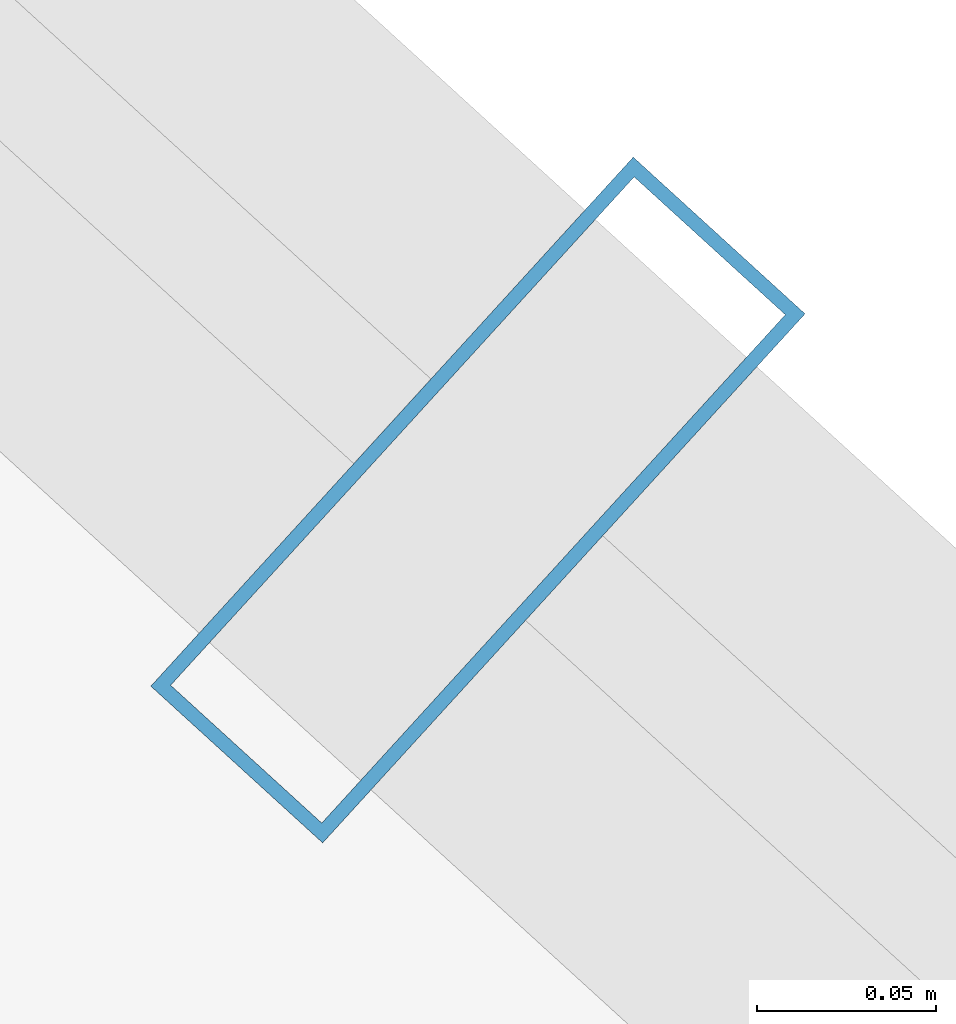
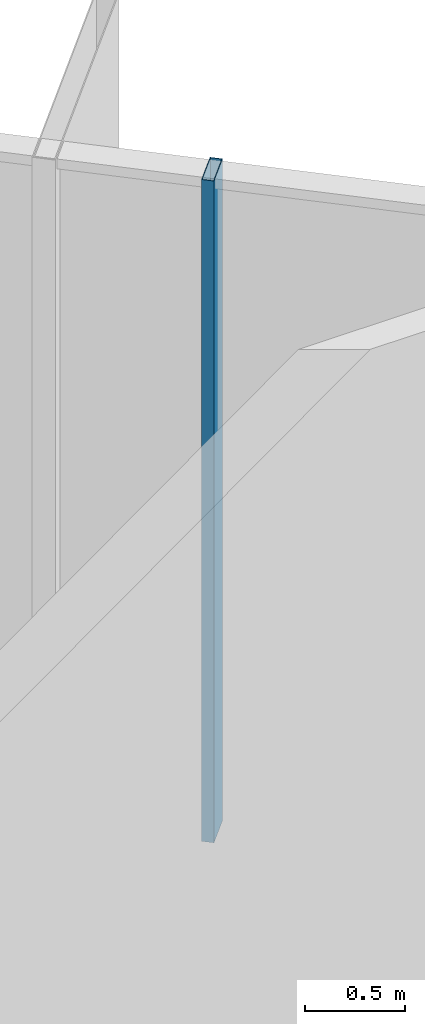
# One storey, part 21 of 28: 1 member, 1 element without a shape of its own.
"""IFC4 building model written with IfcOpenShell, lengths in metres."""

import ifcopenshell
import ifcopenshell.guid

model = None  # the IFC model being written
_history = None  # IfcOwnerHistory: only IFC2X3 demands one
_inside = {}  # id of a spatial element -> (the spatial element, [elements in it])
_under = {}  # id of a project, library or spatial element -> (it, [spatial elements below it])
_declared = {}  # id of a project -> (the project, [libraries it declares])
_typed = {}  # id of a type object -> (the type object, [elements of that type])
_made_of = {}  # id of a material, layer set ... -> (it, [elements and type objects made of it])


def new_model(schema):
    """Start an empty IFC model of exactly this schema.

    Asked for "IFC4X3", IfcOpenShell would pick the latest addendum, in which some entities
    have other attributes; the version numbers below select the first issue.
    IFC2X3 requires an IfcOwnerHistory on every rooted entity: one is made here for all.
    """
    global model, _history
    if schema == "IFC4X3":
        model = ifcopenshell.file(schema_version=(4, 3, 0, 0))
    else:
        model = ifcopenshell.file(schema=schema)
    _inside.clear()
    _under.clear()
    _declared.clear()
    _typed.clear()
    _made_of.clear()
    _history = None
    if model.schema == "IFC2X3":
        org = make("IfcOrganization", Name="unknown")
        user = make(
            "IfcPersonAndOrganization",
            ThePerson=make("IfcPerson", FamilyName="unknown"),
            TheOrganization=org,
        )
        app = make(
            "IfcApplication",
            ApplicationDeveloper=org,
            Version="unknown",
            ApplicationFullName="unknown",
            ApplicationIdentifier="unknown",
        )
        _history = make(
            "IfcOwnerHistory",
            OwningUser=user,
            OwningApplication=app,
            ChangeAction="ADDED",
            CreationDate=0,
        )
    return model


def make(cls, **values):
    """One entity of the class cls with the attributes given. An attribute that is None is left unset."""
    return model.create_entity(
        cls, **{name: value for name, value in values.items() if value is not None}
    )


def rooted(cls, **values):
    """An entity with a GlobalId (a new one), such as an element, a storey or a relation."""
    return make(cls, GlobalId=ifcopenshell.guid.new(), OwnerHistory=_history, **values)


def si_unit(unit_type, name, prefix=None):
    """IfcSIUnit, for example si_unit("LENGTHUNIT", "METRE", prefix="MILLI")."""
    return make("IfcSIUnit", UnitType=unit_type, Prefix=prefix, Name=name)


def assignment(units):
    """IfcUnitAssignment: the units of a project."""
    return None if units is None else make("IfcUnitAssignment", Units=units)


def point(xyz):
    """IfcCartesianPoint."""
    return None if xyz is None else make("IfcCartesianPoint", Coordinates=xyz)


def direction(xyz):
    """IfcDirection."""
    return None if xyz is None else make("IfcDirection", DirectionRatios=xyz)


def frame(location, z_axis=None, x_axis=None):
    """IfcAxis2Placement3D, a coordinate frame: its origin and axes. An axis left out is left unset."""
    return make(
        "IfcAxis2Placement3D",
        Location=point(location),
        Axis=direction(z_axis),
        RefDirection=direction(x_axis),
    )


def frame_2d(location, x_axis=None):
    """IfcAxis2Placement2D, a coordinate frame in the plane: its origin and x axis."""
    return make(
        "IfcAxis2Placement2D", Location=point(location), RefDirection=direction(x_axis)
    )


def origin():
    """The frame at (0, 0, 0) with its axes left unset."""
    return frame((0.0, 0.0, 0.0))


def origin_2d():
    """The frame at (0, 0) in the plane with its x axis left unset."""
    return frame_2d((0.0, 0.0))


def place(relative_to, where):
    """IfcLocalPlacement: puts the frame where relative to a parent placement (None: the world)."""
    return make(
        "IfcLocalPlacement", PlacementRelTo=relative_to, RelativePlacement=where
    )


def context(
    kind, dimensions, precision=None, world=None, true_north=None, identifier=None
):
    """IfcGeometricRepresentationContext, for example the 3D "Model" context."""
    return make(
        "IfcGeometricRepresentationContext",
        ContextIdentifier=identifier,
        ContextType=kind,
        CoordinateSpaceDimension=dimensions,
        Precision=precision,
        WorldCoordinateSystem=world,
        TrueNorth=true_north,
    )


def subcontext(parent, identifier, kind, view, scale=None):
    """IfcGeometricRepresentationSubContext, for example "Body" below "Model"."""
    return make(
        "IfcGeometricRepresentationSubContext",
        ContextIdentifier=identifier,
        ContextType=kind,
        ParentContext=parent,
        TargetScale=scale,
        TargetView=view,
    )


def project(units=None, contexts=None):
    """IfcProject with its units and contexts."""
    return rooted(
        "IfcProject",
        Name="project",
        RepresentationContexts=contexts,
        UnitsInContext=assignment(units),
    )


def spatial(cls, under=None, at=None, **own):
    """A site, building, storey or space (cls), placed at a placement, below another one or the project."""
    s = rooted(cls, ObjectPlacement=at, **own)
    if under is not None:
        _under.setdefault(under.id(), (under, []))[1].append(s)
    return s


def profile(cls, at=None, kind="AREA", **sizes):
    """A parametric profile (cls). Its sizes go by their IFC names, for example OverallWidth=200.0."""
    return make(cls, ProfileType=kind, Position=at, **sizes)


def hollow_rectangle(**sizes):
    """IfcRectangleHollowProfileDef."""
    return profile("IfcRectangleHollowProfileDef", **sizes)


def extrude(swept, where, along, depth):
    """IfcExtrudedAreaSolid: the profile swept, set in the frame where, extruded along a direction by depth."""
    return make(
        "IfcExtrudedAreaSolid",
        SweptArea=swept,
        Position=where,
        ExtrudedDirection=direction(along),
        Depth=depth,
    )


def shape(context_of_items, identifier, shape_type, items):
    """IfcShapeRepresentation: the items that make up one representation, for example the "Body"."""
    return make(
        "IfcShapeRepresentation",
        ContextOfItems=context_of_items,
        RepresentationIdentifier=identifier,
        RepresentationType=shape_type,
        Items=items,
    )


def source(mapping_origin, context_of_items, identifier, shape_type, items):
    """IfcRepresentationMap: a shape defined once, which mapped items show again and again."""
    return make(
        "IfcRepresentationMap",
        MappingOrigin=mapping_origin,
        MappedRepresentation=shape(context_of_items, identifier, shape_type, items),
    )


def transform(
    local_origin,
    x_axis=None,
    y_axis=None,
    z_axis=None,
    scale=None,
    scale2=None,
    scale3=None,
    uniform=True,
):
    """IfcCartesianTransformationOperator3D, or its non-uniform kind. x_axis, y_axis, z_axis: its Axis1, 2, 3."""
    if uniform:
        return make(
            "IfcCartesianTransformationOperator3D",
            Axis1=direction(x_axis),
            Axis2=direction(y_axis),
            LocalOrigin=point(local_origin),
            Scale=scale,
            Axis3=direction(z_axis),
        )
    return make(
        "IfcCartesianTransformationOperator3DnonUniform",
        Axis1=direction(x_axis),
        Axis2=direction(y_axis),
        LocalOrigin=point(local_origin),
        Scale=scale,
        Axis3=direction(z_axis),
        Scale2=scale2,
        Scale3=scale3,
    )


def mapped(mapping_source, mapping_target):
    """IfcMappedItem: shows the shape of a source again, moved by a transform."""
    return make(
        "IfcMappedItem", MappingSource=mapping_source, MappingTarget=mapping_target
    )


def material(Name=None, Category=None):
    """IfcMaterial."""
    return make("IfcMaterial", Name=Name, Category=Category)


def layer(
    of_material, thickness, ventilated=None, Name=None, Category=None, Priority=None
):
    """IfcMaterialLayer: one layer of a wall or slab, of a material (None: an air gap)."""
    return make(
        "IfcMaterialLayer",
        Material=of_material,
        LayerThickness=thickness,
        IsVentilated=ventilated,
        Name=Name,
        Category=Category,
        Priority=Priority,
    )


def layer_set(layers, Name=None):
    """IfcMaterialLayerSet."""
    return make("IfcMaterialLayerSet", MaterialLayers=layers, LayerSetName=Name)


def material_profile(
    of_material, cross_section, Name=None, Category=None, Priority=None
):
    """IfcMaterialProfile: a cross section and its material."""
    return make(
        "IfcMaterialProfile",
        Name=Name,
        Material=of_material,
        Profile=cross_section,
        Priority=Priority,
        Category=Category,
    )


def profile_set(profiles, Name=None, composite=None):
    """IfcMaterialProfileSet."""
    return make(
        "IfcMaterialProfileSet",
        Name=Name,
        MaterialProfiles=profiles,
        CompositeProfile=composite,
    )


def made_of(thing, what):
    """Note that an element or type object is made of a material, layer set ...; save() writes the relation."""
    if what is not None:
        _made_of.setdefault(what.id(), (what, []))[1].append(thing)
    return thing


def type_object(cls, material=None, **own):
    """A type object (cls), such as IfcWallType, which elements share."""
    return made_of(rooted(cls, **own), material)


def element(
    cls,
    number,
    at=None,
    inside=None,
    cuts=None,
    type_object=None,
    material=None,
    context=None,
    identifier="Body",
    shape_type=None,
    held_by="IfcProductDefinitionShape",
    body=None,
    shapes=None,
    **own,
):
    """One element of the class cls, such as IfcWall. Its Tag is "e" and its number.

    at: its placement. inside: the storey or other place that contains it. cuts: it is an
    opening in that element (IfcRelVoidsElement). A single representation is given by context,
    identifier, shape_type and body (its items); several are given by shapes. held_by: the class
    of the entity that holds the representations. save() writes the other relations.
    """
    e = rooted(cls, Tag="e%d" % number, ObjectPlacement=at, **own)
    if body is not None:
        shapes = [shape(context, identifier, shape_type, body)]
    if shapes is not None:
        e.Representation = make(held_by, Representations=shapes)
    if inside is not None:
        _inside.setdefault(inside.id(), (inside, []))[1].append(e)
    if cuts is not None:
        rooted(
            "IfcRelVoidsElement", RelatingBuildingElement=cuts, RelatedOpeningElement=e
        )
    if type_object is not None:
        _typed.setdefault(type_object.id(), (type_object, []))[1].append(e)
    return made_of(e, material)


def aggregate(whole, parts):
    """IfcRelAggregates: a whole, such as a stair, and the parts it consists of."""
    return rooted("IfcRelAggregates", RelatingObject=whole, RelatedObjects=parts)


def save(model, path):
    """Write the relations noted so far, then the file.

    IfcRelAggregates (storeys below a building ...), IfcRelContainedInSpatialStructure (elements
    in a storey), IfcRelDefinesByType, IfcRelAssociatesMaterial and IfcRelDeclares: one each for
    every whole, place, type object, material and project.
    """
    for whole, parts in _under.values():
        aggregate(whole, parts)
    for where, things in _inside.values():
        rooted(
            "IfcRelContainedInSpatialStructure",
            RelatedElements=things,
            RelatingStructure=where,
        )
    for kind, things in _typed.values():
        rooted("IfcRelDefinesByType", RelatedObjects=things, RelatingType=kind)
    for what, things in _made_of.values():
        rooted("IfcRelAssociatesMaterial", RelatedObjects=things, RelatingMaterial=what)
    for by, libraries in _declared.values():
        rooted("IfcRelDeclares", RelatingContext=by, RelatedDefinitions=libraries)
    model.write(path)


model = new_model("IFC4")

# Units and contexts
model_context = context("Model", 3, precision=1e-05, world=origin(), true_north=direction((0.0, 1.0)))
body_context = subcontext(model_context, "Body", "Model", "MODEL_VIEW")
ifc_project = project(units=[si_unit("LENGTHUNIT", "METRE"), si_unit("AREAUNIT", "SQUARE_METRE"), si_unit("VOLUMEUNIT", "CUBIC_METRE"), si_unit("PLANEANGLEUNIT", "RADIAN"), si_unit("MASSUNIT", "GRAM", prefix="KILO")], contexts=[model_context])

# Site, building, storey
site_placement = place(None, origin())
site = spatial("IfcSite", under=ifc_project, at=site_placement, CompositionType="ELEMENT")
building_placement = place(site_placement, origin())
building = spatial("IfcBuilding", under=site, at=building_placement, Name="Veraguas Prism Commons", CompositionType="ELEMENT")
storey_placement = place(building_placement, frame((0.0, 0.0, 85.14990234375)))
storey = spatial("IfcBuildingStorey", under=building, at=storey_placement, Name="L23", CompositionType="ELEMENT", Elevation=85.14990234375)

# Curtain wall, member
ifc_material = material(Name="Anodised aluminium EN AW-6063 T6", Category="aluminium")
ifc_layer = layer(ifc_material, 0.199951171875, Name="Sky Lobby and Pool Acoustic Curtain Wall", Category="aluminium")
ifc_layer_set = layer_set([ifc_layer], Name="Anodised aluminium EN AW-6063 T6")
curtain_wall_type = type_object("IfcCurtainWallType", Name="Sky Lobby and Pool Acoustic Curtain Wall", PredefinedType="NOTDEFINED", material=ifc_layer_set)
curtain_wall_placement = place(storey_placement, origin())
curtain_wall = element("IfcCurtainWall", 1, at=curtain_wall_placement, inside=storey, type_object=curtain_wall_type, Name="Tower Facade Curtain Wall L23-F1", PredefinedType="NOTDEFINED")
ifc_material_profile = material_profile(ifc_material, hollow_rectangle(XDim=0.06494140625, YDim=0.199951171875, WallThickness=0.00390625, at=origin_2d()), Name="AL65X200X4")
ifc_profile_set = profile_set([ifc_material_profile], Name="Anodised aluminium EN AW-6063 T6")
member_type = type_object("IfcMemberType", Name="Curtain Wall Mullion Heavy AL 65x200x4", PredefinedType="MULLION", material=ifc_profile_set)
shared_shape = source(origin(), body_context, "Body", "SweptSolid", [
    extrude(hollow_rectangle(XDim=0.06494140625, YDim=0.199951171875, WallThickness=0.00390625, at=origin_2d()), origin(), (0.0, 0.0, 1.0), 4.050048828125),
])
member_placement = place(storey_placement, frame((40.108642578125, 35.271240234375, 0.0), z_axis=(0.0, 0.0, 1.0), x_axis=(-0.738924736523, 0.673787973887, 0.0)))
member = element("IfcMember", 2, at=member_placement, type_object=member_type, Name="CW-SKY Mullion 2", PredefinedType="MULLION", context=body_context, shape_type="MappedRepresentation", body=[
    mapped(shared_shape, transform((0.0, 0.0, 0.0), scale=1.0)),
])
aggregate(curtain_wall, [member])

save(model, "model.ifc")
